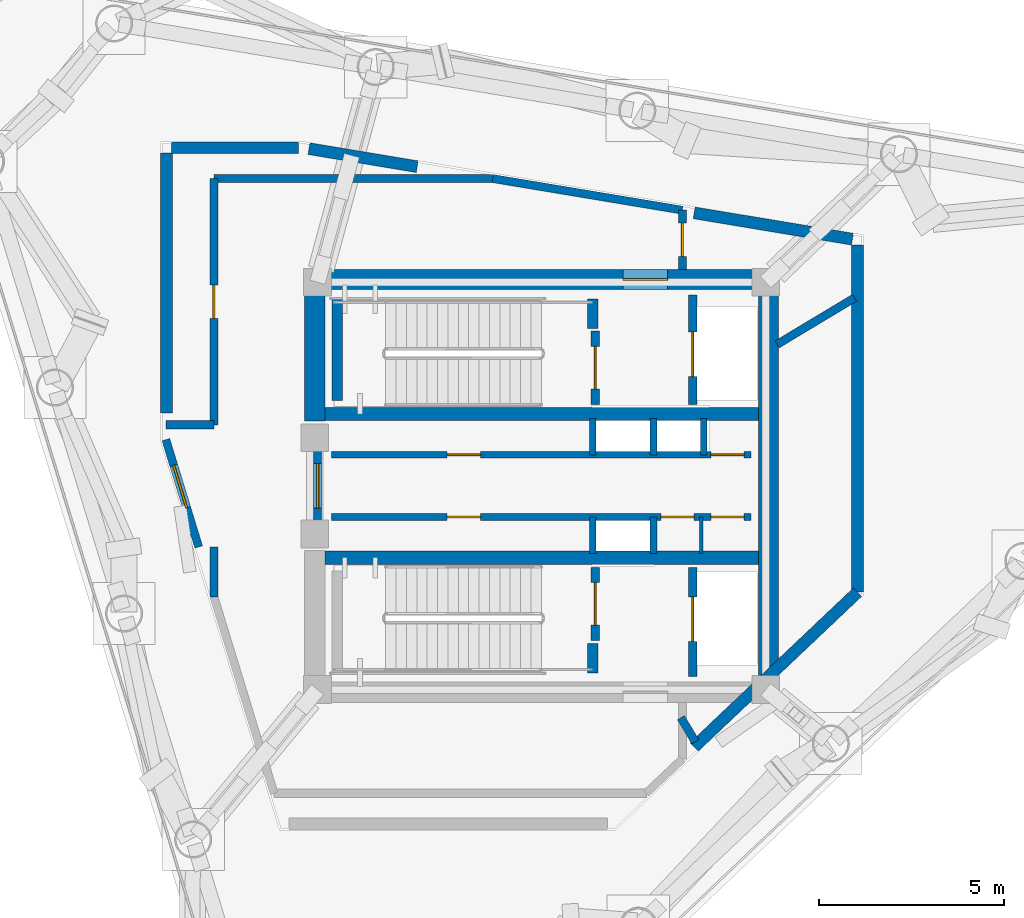
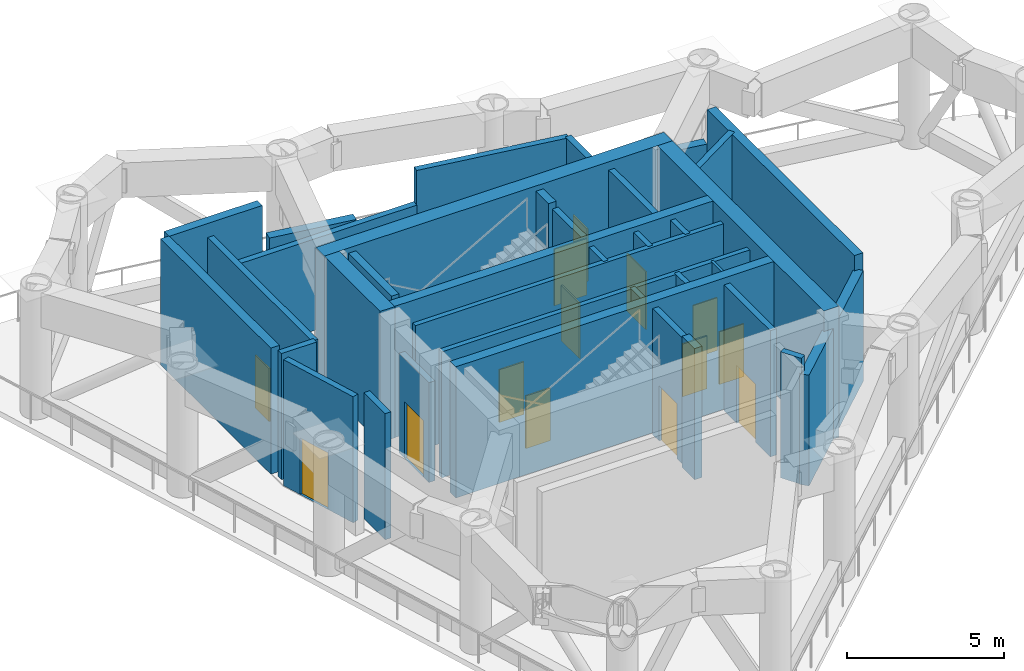
# One storey, part 4 of 9: 36 walls, 14 doors, 14 openings.
"""IFC4 building model written with IfcOpenShell, lengths in metres."""

from ifc_helpers import new_model, si_unit, direction, frame, frame_2d, origin, place, context, subcontext, project, spatial, rectangle, extrude, material, layer, layer_set, type_object, element, fill, save


model = new_model("IFC4")

# Units and contexts
model_context = context("Model", 3, precision=1e-05, world=origin(), true_north=direction((0.0, 1.0)))
body_context = subcontext(model_context, "Body", "Model", "MODEL_VIEW")
ifc_project = project(units=[si_unit("LENGTHUNIT", "METRE"), si_unit("AREAUNIT", "SQUARE_METRE"), si_unit("VOLUMEUNIT", "CUBIC_METRE"), si_unit("PLANEANGLEUNIT", "RADIAN"), si_unit("MASSUNIT", "GRAM", prefix="KILO")], contexts=[model_context])

# Site, building, storey
site_placement = place(None, origin())
site = spatial("IfcSite", under=ifc_project, at=site_placement, CompositionType="ELEMENT")
building_placement = place(site_placement, origin())
building = spatial("IfcBuilding", under=site, at=building_placement, Name="Yunling Apex Tower", CompositionType="ELEMENT")
storey_placement = place(building_placement, frame((0.0, 0.0, 252.449951171875)))
storey = spatial("IfcBuildingStorey", under=building, at=storey_placement, Name="RF7", CompositionType="ELEMENT", Elevation=252.449951171875)

# Wall, opening, door
ifc_material_1 = material(Name="Concrete C40", Category="concrete")
ifc_layer_1 = layer(ifc_material_1, 0.550048828125)
ifc_layer_set_1 = layer_set([ifc_layer_1], Name="Concrete C40")
wall_type_1 = type_object("IfcWallType", Name="WL-COR-3", PredefinedType="SHEAR", material=ifc_layer_set_1)
wall_1_placement = place(storey_placement, frame((-6.39990234375, 5.574951171875, 0.0), z_axis=(0.0, 0.0, 1.0), x_axis=(1.0, 0.0, 0.0)))
wall_1 = element("IfcWall", 1, at=wall_1_placement, inside=storey, type_object=wall_type_1, Name="RF7 North Core Shear Wall", PredefinedType="SHEAR", context=body_context, shape_type="SweptSolid", body=[
    extrude(rectangle(XDim=12.7998046875, YDim=0.550048828125, at=frame_2d((6.39990234375, 0.0))), origin(), (0.0, 0.0, 1.0), 5.10009765625),
])
opening_1_placement = place(wall_1_placement, frame((8.60009765625, 0.0, 0.0)))
opening_1 = element("IfcOpeningElement", 2, at=opening_1_placement, cuts=wall_1, Name="Opening DR-FFL-1", PredefinedType="OPENING", context=body_context, shape_type="SweptSolid", body=[
    extrude(rectangle(XDim=1.199951171875, YDim=2.199951171875, at=frame_2d((0.60009765625, 1.10009765625))), frame((0.0, 0.28515625, 0.0), z_axis=(0.0, -1.0, 0.0), x_axis=(1.0, 0.0, 0.0)), (0.0, 0.0, 1.0), 0.570068359375),
])
ifc_material_2 = material(Name="Steel Q355B", Category="steel")
door_type_1 = type_object("IfcDoorType", Name="DR-FFL-1", OperationType="NOTDEFINED", PredefinedType="DOOR", material=ifc_material_2)
door_1_placement = place(opening_1_placement, origin())
door_1 = element("IfcDoor", 3, at=door_1_placement, inside=storey, type_object=door_type_1, Name="RF7 North Firefighting Lobby Door", OperationType="SINGLE_SWING_LEFT", OverallHeight=2.199951171875, OverallWidth=1.199951171875, PredefinedType="DOOR", context=body_context, shape_type="SweptSolid", body=[
    extrude(rectangle(XDim=1.199951171875, YDim=2.199951171875, at=frame_2d((0.60009765625, 1.10009765625))), frame((0.0, 0.02490234375, 0.0), z_axis=(0.0, -1.0, 0.0), x_axis=(1.0, 0.0, 0.0)), (0.0, 0.0, 1.0), 0.050048828125),
])
fill(opening_1, door_1)

# Walls
wall_2_placement = place(storey_placement, frame((6.125, -5.300048828125, 0.0), z_axis=(0.0, 0.0, 1.0), x_axis=(0.0, 1.0, 0.0)))
element("IfcWall", 4, at=wall_2_placement, inside=storey, type_object=wall_type_1, Name="RF7 East Core Shear Wall", PredefinedType="SHEAR", context=body_context, shape_type="SweptSolid", body=[
    extrude(rectangle(XDim=10.60009765625, YDim=0.550048828125, at=frame_2d((5.300048828125, 0.0))), origin(), (0.0, 0.0, 1.0), 5.10009765625),
])
wall_3_placement = place(storey_placement, frame((-6.125, 1.75, 0.0), z_axis=(0.0, 0.0, 1.0), x_axis=(0.0, 1.0, 0.0)))
element("IfcWall", 5, at=wall_3_placement, inside=storey, type_object=wall_type_1, Name="RF7 West-North Core Shear Wall", PredefinedType="SHEAR", context=body_context, shape_type="SweptSolid", body=[
    extrude(rectangle(XDim=3.550048828125, YDim=0.550048828125, at=frame_2d((1.77490234375, 0.0))), origin(), (0.0, 0.0, 1.0), 5.10009765625),
])
ifc_layer_2 = layer(ifc_material_1, 0.360107421875)
ifc_layer_set_2 = layer_set([ifc_layer_2], Name="Concrete C40")
wall_type_2 = type_object("IfcWallType", Name="WL-COR-4", PredefinedType="SHEAR", material=ifc_layer_set_2)
for number, where, z_axis, x_axis, name in (
    (6, (-5.85009765625, 1.93994140625, 0.0), (0.0, 0.0, 1.0), (1.0, 0.0, 0.0), "RF7 North Internal Core Shear Wall"),
    (7, (-5.85009765625, -1.93994140625, 0.0), (0.0, 0.0, 1.0), (1.0, 0.0, 0.0), "RF7 South Internal Core Shear Wall"),
):
    element("IfcWall", number, at=place(storey_placement, frame(where, z_axis=z_axis, x_axis=x_axis)), inside=storey, type_object=wall_type_2, Name=name, PredefinedType="SHEAR", context=body_context, shape_type="SweptSolid", body=[
        extrude(rectangle(XDim=11.7001953125, YDim=0.360107421875, at=frame_2d((5.85009765625, 0.0))), origin(), (0.0, 0.0, 1.0), 5.10009765625),
    ])
ifc_layer_3 = layer(ifc_material_1, 0.280029296875)
ifc_layer_set_3 = layer_set([ifc_layer_3], Name="Concrete C40")
wall_type_3 = type_object("IfcWallType", Name="WL-COR-8", PredefinedType="SHEAR", material=ifc_layer_set_3)
wall_4_placement = place(storey_placement, frame((-5.52001953125, 2.300048828125, 0.0), z_axis=(0.0, 0.0, 1.0), x_axis=(0.0, 1.0, 0.0)))
element("IfcWall", 8, at=wall_4_placement, inside=storey, type_object=wall_type_3, Name="RF7 ST-1 West Landing Bearing Wall", PredefinedType="SHEAR", context=body_context, shape_type="SweptSolid", body=[
    extrude(rectangle(XDim=2.75, YDim=0.280029296875, at=frame_2d((1.375, 0.0))), origin(), (0.0, 0.0, 1.0), 5.10009765625),
])
for number, where, z_axis, x_axis, name in (
    (9, (1.3798828125, 4.25, 0.0), (0.0, 0.0, 1.0), (0.0, 1.0, 0.0), "RF7 ST-1 East Landing Bearing Pier"),
    (10, (1.3798828125, -5.050048828125, 0.0), (0.0, 0.0, 1.0), (0.0, 1.0, 0.0), "RF7 ST-2 East Landing Bearing Pier"),
):
    element("IfcWall", number, at=place(storey_placement, frame(where, z_axis=z_axis, x_axis=x_axis)), inside=storey, type_object=wall_type_3, Name=name, PredefinedType="SHEAR", context=body_context, shape_type="SweptSolid", body=[
        extrude(rectangle(XDim=0.800048828125, YDim=0.280029296875, at=frame_2d((0.39990234375, 0.0))), origin(), (0.0, 0.0, 1.0), 5.10009765625),
    ])
ifc_material_3 = material(Name="Precast concrete C40", Category="concrete")
ifc_layer_4 = layer(ifc_material_3, 0.320068359375)
ifc_layer_set_4 = layer_set([ifc_layer_4], Name="Precast concrete C40")
wall_type_4 = type_object("IfcWallType", Name="WL-EXT-1", PredefinedType="SOLIDWALL", material=ifc_layer_set_4)
wall_5_placement = place(storey_placement, frame((8.530029296875, -2.869873046875, 0.0), z_axis=(0.0, 0.0, 1.0), x_axis=(-0.725858697409, -0.687843842304, 0.0)))
element("IfcWall", 11, at=wall_5_placement, inside=storey, type_object=wall_type_4, Name="WL-RF7-IR-01", PredefinedType="SOLIDWALL", context=body_context, shape_type="SweptSolid", body=[
    extrude(rectangle(XDim=6.075439453125, YDim=0.320068359375, at=frame_2d((3.03759765625, 0.0))), origin(), (0.0, 0.0, 1.0), 4.304931640625),
])
wall_6_placement = place(storey_placement, frame((-10.1298828125, 1.969970703125, 0.0), z_axis=(0.0, 0.0, 1.0), x_axis=(0.0, 1.0, 0.0)))
element("IfcWall", 12, at=wall_6_placement, inside=storey, type_object=wall_type_4, Name="WL-RF7-IR-04", PredefinedType="SOLIDWALL", context=body_context, shape_type="SweptSolid", body=[
    extrude(rectangle(XDim=7.02001953125, YDim=0.320068359375, at=frame_2d((3.510009765625, 0.0))), origin(), (0.0, 0.0, 1.0), 4.900146484375),
])
wall_7_placement = place(storey_placement, frame((-9.989990234375, 9.1298828125, 0.0), z_axis=(0.0, 0.0, 1.0), x_axis=(1.0, 0.0, 0.0)))
element("IfcWall", 13, at=wall_7_placement, inside=storey, type_object=wall_type_4, Name="WL-RF7-IR-05", PredefinedType="SOLIDWALL", context=body_context, shape_type="SweptSolid", body=[
    extrude(rectangle(XDim=3.4287109375, YDim=0.320068359375, at=frame_2d((1.71435546875, 0.0))), origin(), (0.0, 0.0, 1.0), 4.900146484375),
])
wall_8_placement = place(storey_placement, frame((-6.283203125, 9.10693359375, 0.0), z_axis=(0.0, 0.0, 1.0), x_axis=(0.986411732793, -0.164292097827, 0.0)))
element("IfcWall", 14, at=wall_8_placement, inside=storey, type_object=wall_type_4, Name="WL-RF7-IR-06", PredefinedType="SOLIDWALL", context=body_context, shape_type="SweptSolid", body=[
    extrude(rectangle(XDim=2.963134765625, YDim=0.320068359375, at=frame_2d((1.4814453125, 0.0))), origin(), (0.0, 0.0, 1.0), 3.554931640625),
])
wall_9_placement = place(storey_placement, frame((4.1201171875, 7.37353515625, 0.0), z_axis=(0.0, 0.0, 1.0), x_axis=(0.986404587418, -0.164334992989, 0.0)))
element("IfcWall", 15, at=wall_9_placement, inside=storey, type_object=wall_type_4, Name="WL-RF7-IR-07", PredefinedType="SOLIDWALL", context=body_context, shape_type="SweptSolid", body=[
    extrude(rectangle(XDim=4.33056640625, YDim=0.320068359375, at=frame_2d((2.165283203125, 0.0))), origin(), (0.0, 0.0, 1.0), 3.554931640625),
])
wall_10_placement = place(storey_placement, frame((8.530029296875, 6.498779296875, 0.0), z_axis=(0.0, 0.0, 1.0), x_axis=(0.0, -1.0, 0.0)))
element("IfcWall", 16, at=wall_10_placement, inside=storey, type_object=wall_type_4, Name="WL-RF7-IR-08", PredefinedType="SOLIDWALL", context=body_context, shape_type="SweptSolid", body=[
    extrude(rectangle(XDim=9.36865234375, YDim=0.320068359375, at=frame_2d((4.684326171875, 0.0))), origin(), (0.0, 0.0, 1.0), 4.900146484375),
])
ifc_material_4 = material(Name="Gypsum board acoustic partition")
ifc_layer_5 = layer(ifc_material_4, 0.10009765625)
ifc_layer_set_5 = layer_set([ifc_layer_5], Name="Gypsum board acoustic partition")
wall_type_5 = type_object("IfcWallType", Name="WL-PRT-4", PredefinedType="PARTITIONING", material=ifc_layer_set_5)
wall_11_placement = place(storey_placement, frame((4.31005859375, -1.820068359375, 0.0), z_axis=(0.0, 0.0, 1.0), x_axis=(0.0, 1.0, 0.0)))
element("IfcWall", 17, at=wall_11_placement, inside=storey, type_object=wall_type_5, Name="WL-KCDIV-RF7", PredefinedType="PARTITIONING", context=body_context, shape_type="SweptSolid", body=[
    extrude(rectangle(XDim=0.97998046875, YDim=0.10009765625, at=frame_2d((0.489990234375, 0.0))), origin(), (0.0, 0.0, 1.0), 4.900146484375),
])

# Wall, opening, door
ifc_material_5 = material(Name="Autoclaved aerated concrete masonry", Category="masonry")
ifc_layer_6 = layer(ifc_material_5, 0.219970703125)
ifc_layer_set_6 = layer_set([ifc_layer_6], Name="Autoclaved aerated concrete masonry")
wall_type_6 = type_object("IfcWallType", Name="WL-SHF-1", PredefinedType="PLUMBINGWALL", material=ifc_layer_set_6)
wall_12_placement = place(storey_placement, frame((-6.050048828125, -0.949951171875, 0.0), z_axis=(0.0, 0.0, 1.0), x_axis=(0.0, 1.0, 0.0)))
wall_12 = element("IfcWall", 18, at=wall_12_placement, inside=storey, type_object=wall_type_6, Name="WL-COR-WPORT-RF7", PredefinedType="PLUMBINGWALL", context=body_context, shape_type="SweptSolid", body=[
    extrude(rectangle(XDim=1.89990234375, YDim=0.219970703125, at=frame_2d((0.949951171875, 0.0))), origin(), (0.0, 0.0, 1.0), 3.880126953125),
])
opening_2_placement = place(wall_12_placement, frame((0.35009765625, 0.0, 0.0)))
opening_2 = element("IfcOpeningElement", 19, at=opening_2_placement, cuts=wall_12, Name="Opening DR-FFL-1", PredefinedType="OPENING", context=body_context, shape_type="SweptSolid", body=[
    extrude(rectangle(XDim=1.199951171875, YDim=2.199951171875, at=frame_2d((0.60009765625, 1.10009765625))), frame((0.0, 0.1201171875, 0.0), z_axis=(0.0, -1.0, 0.0), x_axis=(1.0, 0.0, 0.0)), (0.0, 0.0, 1.0), 0.239990234375),
])
door_2_placement = place(opening_2_placement, origin())
door_2 = element("IfcDoor", 20, at=door_2_placement, inside=storey, type_object=door_type_1, Name="RF7 Passenger Lift Lobby Entrance Door", OperationType="SINGLE_SWING_RIGHT", OverallHeight=2.199951171875, OverallWidth=1.199951171875, PredefinedType="DOOR", context=body_context, shape_type="SweptSolid", body=[
    extrude(rectangle(XDim=1.199951171875, YDim=2.199951171875, at=frame_2d((0.60009765625, 1.10009765625))), frame((0.0, 0.02490234375, 0.0), z_axis=(0.0, -1.0, 0.0), x_axis=(1.0, 0.0, 0.0)), (0.0, 0.0, 1.0), 0.050048828125),
])
fill(opening_2, door_2)

wall_13_placement = place(storey_placement, frame((1.449951171875, 2.199951171875, 0.0), z_axis=(0.0, 0.0, 1.0), x_axis=(0.0, 1.0, 0.0)))
wall_13 = element("IfcWall", 21, at=wall_13_placement, inside=storey, type_object=wall_type_6, Name="WL-ST1-E-RF7", PredefinedType="PLUMBINGWALL", context=body_context, shape_type="SweptSolid", body=[
    extrude(rectangle(XDim=1.97998046875, YDim=0.219970703125, at=frame_2d((0.989990234375, 0.0))), origin(), (0.0, 0.0, 1.0), 4.900146484375),
])
opening_3_placement = place(wall_13_placement, frame((0.419921875, 0.0, 0.0)))
opening_3 = element("IfcOpeningElement", 22, at=opening_3_placement, cuts=wall_13, Name="Opening DR-ST-1", PredefinedType="OPENING", context=body_context, shape_type="SweptSolid", body=[
    extrude(rectangle(XDim=1.14990234375, YDim=2.14990234375, at=frame_2d((0.574951171875, 1.074951171875))), frame((0.0, 0.1201171875, 0.0), z_axis=(0.0, -1.0, 0.0), x_axis=(1.0, 0.0, 0.0)), (0.0, 0.0, 1.0), 0.239990234375),
])
door_type_2 = type_object("IfcDoorType", Name="DR-ST-1", OperationType="NOTDEFINED", PredefinedType="DOOR", material=ifc_material_2)
door_3_placement = place(opening_3_placement, origin())
door_3 = element("IfcDoor", 23, at=door_3_placement, inside=storey, type_object=door_type_2, Name="RF7 Stair ST-1 Fire Door", OperationType="SINGLE_SWING_LEFT", OverallHeight=2.14990234375, OverallWidth=1.14990234375, PredefinedType="DOOR", context=body_context, shape_type="SweptSolid", body=[
    extrude(rectangle(XDim=1.14990234375, YDim=2.14990234375, at=frame_2d((0.574951171875, 1.074951171875))), frame((0.0, 0.02490234375, 0.0), z_axis=(0.0, -1.0, 0.0), x_axis=(1.0, 0.0, 0.0)), (0.0, 0.0, 1.0), 0.050048828125),
])
fill(opening_3, door_3)

wall_14_placement = place(storey_placement, frame((4.080078125, 2.199951171875, 0.0), z_axis=(0.0, 0.0, 1.0), x_axis=(0.0, 1.0, 0.0)))
wall_14 = element("IfcWall", 24, at=wall_14_placement, inside=storey, type_object=wall_type_6, Name="WL-FFL1-W-RF7", PredefinedType="PLUMBINGWALL", context=body_context, shape_type="SweptSolid", body=[
    extrude(rectangle(XDim=2.949951171875, YDim=0.219970703125, at=frame_2d((1.47509765625, 0.0))), origin(), (0.0, 0.0, 1.0), 4.900146484375),
])
opening_4_placement = place(wall_14_placement, frame((0.75, 0.0, 0.0)))
opening_4 = element("IfcOpeningElement", 25, at=opening_4_placement, cuts=wall_14, Name="Opening LD-FFL-1", PredefinedType="OPENING", context=body_context, shape_type="SweptSolid", body=[
    extrude(rectangle(XDim=1.199951171875, YDim=2.25, at=frame_2d((0.60009765625, 1.125))), frame((0.0, 0.1201171875, 0.0), z_axis=(0.0, -1.0, 0.0), x_axis=(1.0, 0.0, 0.0)), (0.0, 0.0, 1.0), 0.239990234375),
])
door_type_3 = type_object("IfcDoorType", Name="LD-FFL-1", OperationType="DOUBLE_DOOR_SLIDING", PredefinedType="DOOR", material=ifc_material_2)
door_4_placement = place(opening_4_placement, origin())
door_4 = element("IfcDoor", 26, at=door_4_placement, inside=storey, type_object=door_type_3, Name="RF7 Lift FFL-1 Landing Door", OperationType="DOUBLE_DOOR_SLIDING", OverallHeight=2.25, OverallWidth=1.199951171875, PredefinedType="DOOR", context=body_context, shape_type="SweptSolid", body=[
    extrude(rectangle(XDim=1.199951171875, YDim=2.25, at=frame_2d((0.60009765625, 1.125))), frame((0.0, 0.02490234375, 0.0), z_axis=(0.0, -1.0, 0.0), x_axis=(1.0, 0.0, 0.0)), (0.0, 0.0, 1.0), 0.050048828125),
])
fill(opening_4, door_4)

wall_15_placement = place(storey_placement, frame((1.449951171875, -4.179931640625, 0.0), z_axis=(0.0, 0.0, 1.0), x_axis=(0.0, 1.0, 0.0)))
wall_15 = element("IfcWall", 27, at=wall_15_placement, inside=storey, type_object=wall_type_6, Name="WL-ST2-E-RF7", PredefinedType="PLUMBINGWALL", context=body_context, shape_type="SweptSolid", body=[
    extrude(rectangle(XDim=1.97998046875, YDim=0.219970703125, at=frame_2d((0.989990234375, 0.0))), origin(), (0.0, 0.0, 1.0), 4.900146484375),
])
opening_5_placement = place(wall_15_placement, frame((0.419921875, 0.0, 0.0)))
opening_5 = element("IfcOpeningElement", 28, at=opening_5_placement, cuts=wall_15, Name="Opening DR-ST-1", PredefinedType="OPENING", context=body_context, shape_type="SweptSolid", body=[
    extrude(rectangle(XDim=1.14990234375, YDim=2.14990234375, at=frame_2d((0.574951171875, 1.074951171875))), frame((0.0, 0.1201171875, 0.0), z_axis=(0.0, -1.0, 0.0), x_axis=(1.0, 0.0, 0.0)), (0.0, 0.0, 1.0), 0.239990234375),
])
door_5_placement = place(opening_5_placement, origin())
door_5 = element("IfcDoor", 29, at=door_5_placement, inside=storey, type_object=door_type_2, Name="RF7 Stair ST-2 Fire Door", OperationType="SINGLE_SWING_RIGHT", OverallHeight=2.14990234375, OverallWidth=1.14990234375, PredefinedType="DOOR", context=body_context, shape_type="SweptSolid", body=[
    extrude(rectangle(XDim=1.14990234375, YDim=2.14990234375, at=frame_2d((0.574951171875, 1.074951171875))), frame((0.0, 0.02490234375, 0.0), z_axis=(0.0, -1.0, 0.0), x_axis=(1.0, 0.0, 0.0)), (0.0, 0.0, 1.0), 0.050048828125),
])
fill(opening_5, door_5)

wall_16_placement = place(storey_placement, frame((4.080078125, -5.14990234375, 0.0), z_axis=(0.0, 0.0, 1.0), x_axis=(0.0, 1.0, 0.0)))
wall_16 = element("IfcWall", 30, at=wall_16_placement, inside=storey, type_object=wall_type_6, Name="WL-FFL2-W-RF7", PredefinedType="PLUMBINGWALL", context=body_context, shape_type="SweptSolid", body=[
    extrude(rectangle(XDim=2.949951171875, YDim=0.219970703125, at=frame_2d((1.47509765625, 0.0))), origin(), (0.0, 0.0, 1.0), 4.900146484375),
])
opening_6_placement = place(wall_16_placement, frame((0.949951171875, 0.0, 0.0)))
opening_6 = element("IfcOpeningElement", 31, at=opening_6_placement, cuts=wall_16, Name="Opening LD-FFL-1", PredefinedType="OPENING", context=body_context, shape_type="SweptSolid", body=[
    extrude(rectangle(XDim=1.199951171875, YDim=2.25, at=frame_2d((0.60009765625, 1.125))), frame((0.0, 0.1201171875, 0.0), z_axis=(0.0, -1.0, 0.0), x_axis=(1.0, 0.0, 0.0)), (0.0, 0.0, 1.0), 0.239990234375),
])
door_6_placement = place(opening_6_placement, origin())
door_6 = element("IfcDoor", 32, at=door_6_placement, inside=storey, type_object=door_type_3, Name="RF7 Lift FFL-2 Landing Door", OperationType="DOUBLE_DOOR_SLIDING", OverallHeight=2.25, OverallWidth=1.199951171875, PredefinedType="DOOR", context=body_context, shape_type="SweptSolid", body=[
    extrude(rectangle(XDim=1.199951171875, YDim=2.25, at=frame_2d((0.60009765625, 1.125))), frame((0.0, 0.02490234375, 0.0), z_axis=(0.0, -1.0, 0.0), x_axis=(1.0, 0.0, 0.0)), (0.0, 0.0, 1.0), 0.050048828125),
])
fill(opening_6, door_6)

# Walls
wall_17_placement = place(storey_placement, frame((6.360107421875, 3.821533203125, 0.0), z_axis=(0.0, 0.0, 1.0), x_axis=(0.857139312481, 0.515084652266, 0.0)))
element("IfcWall", 33, at=wall_17_placement, inside=storey, type_object=wall_type_6, Name="WL-RF7-PDIV-31", PredefinedType="PLUMBINGWALL", context=body_context, shape_type="SweptSolid", body=[
    extrude(rectangle(XDim=2.438232421875, YDim=0.219970703125, at=frame_2d((1.21923828125, 0.0))), origin(), (0.0, 0.0, 1.0), 4.900146484375),
])
wall_18_placement = place(storey_placement, frame((3.760009765625, -6.2578125, 0.0), z_axis=(0.0, 0.0, 1.0), x_axis=(0.515157247848, -0.857095683101, 0.0)))
element("IfcWall", 34, at=wall_18_placement, inside=storey, type_object=wall_type_6, Name="WL-RF7-PDIV-301", PredefinedType="PLUMBINGWALL", context=body_context, shape_type="SweptSolid", body=[
    extrude(rectangle(XDim=0.759765625, YDim=0.219970703125, at=frame_2d((0.3798828125, 0.0))), origin(), (0.0, 0.0, 1.0), 4.900146484375),
])

# Wall, opening, door
wall_19_placement = place(storey_placement, frame((3.800048828125, 7.447265625, 0.0), z_axis=(0.0, 0.0, 1.0), x_axis=(0.0, -1.0, 0.0)))
wall_19 = element("IfcWall", 35, at=wall_19_placement, inside=storey, type_object=wall_type_6, Name="WL-RF7-PCR-01", PredefinedType="PLUMBINGWALL", context=body_context, shape_type="SweptSolid", body=[
    extrude(rectangle(XDim=1.59716796875, YDim=0.219970703125, at=frame_2d((0.798583984375, 0.0))), origin(), (0.0, 0.0, 1.0), 4.900146484375),
])
opening_7_placement = place(wall_19_placement, frame((0.3486328125, 0.0, 0.0)))
opening_7 = element("IfcOpeningElement", 36, at=opening_7_placement, cuts=wall_19, Name="Opening DR-SHF-1", PredefinedType="OPENING", context=body_context, shape_type="SweptSolid", body=[
    extrude(rectangle(XDim=0.89990234375, YDim=2.050048828125, at=frame_2d((0.449951171875, 1.02490234375))), frame((0.0, 0.1201171875, 0.0), z_axis=(0.0, -1.0, 0.0), x_axis=(1.0, 0.0, 0.0)), (0.0, 0.0, 1.0), 0.239990234375),
])
door_type_4 = type_object("IfcDoorType", Name="DR-SHF-1", OperationType="NOTDEFINED", PredefinedType="DOOR", material=ifc_material_2)
door_7_placement = place(opening_7_placement, origin())
door_7 = element("IfcDoor", 37, at=door_7_placement, inside=storey, type_object=door_type_4, Name="RF7 Dedicated Outdoor Air AHU Fan Plant Room Door", OperationType="SINGLE_SWING_RIGHT", OverallHeight=2.050048828125, OverallWidth=0.89990234375, PredefinedType="DOOR", context=body_context, shape_type="SweptSolid", body=[
    extrude(rectangle(XDim=0.89990234375, YDim=2.050048828125, at=frame_2d((0.449951171875, 1.02490234375))), frame((0.0, 0.02490234375, 0.0), z_axis=(0.0, -1.0, 0.0), x_axis=(1.0, 0.0, 0.0)), (0.0, 0.0, 1.0), 0.050048828125),
])
fill(opening_7, door_7)

# Wall
wall_20_placement = place(storey_placement, frame((-8.85009765625, -3.001953125, 0.0), z_axis=(0.0, 0.0, 1.0), x_axis=(0.0, 1.0, 0.0)))
element("IfcWall", 38, at=wall_20_placement, inside=storey, type_object=wall_type_6, Name="WL-RF7-PCR-06", PredefinedType="PLUMBINGWALL", context=body_context, shape_type="SweptSolid", body=[
    extrude(rectangle(XDim=1.35205078125, YDim=0.219970703125, at=frame_2d((0.676025390625, 0.0))), origin(), (0.0, 0.0, 1.0), 4.900146484375),
])

# Wall, opening, door
wall_21_placement = place(storey_placement, frame((-9.26318359375, -1.64990234375, 0.0), z_axis=(0.0, 0.0, 1.0), x_axis=(-0.292437587716, 0.956284611029, 0.0)))
wall_21 = element("IfcWall", 39, at=wall_21_placement, inside=storey, type_object=wall_type_6, Name="WL-RF7-PCR-08", PredefinedType="PLUMBINGWALL", context=body_context, shape_type="SweptSolid", body=[
    extrude(rectangle(XDim=3.029541015625, YDim=0.219970703125, at=frame_2d((1.5146484375, 0.0))), origin(), (0.0, 0.0, 1.0), 4.900146484375),
])
opening_8_placement = place(wall_21_placement, frame((1.107666015625, 0.0, 0.0)))
opening_8 = element("IfcOpeningElement", 40, at=opening_8_placement, cuts=wall_21, Name="Opening DR-FFL-1", PredefinedType="OPENING", context=body_context, shape_type="SweptSolid", body=[
    extrude(rectangle(XDim=1.199951171875, YDim=2.199951171875, at=frame_2d((0.60009765625, 1.10009765625))), frame((0.0, 0.1201171875, 0.0), z_axis=(0.0, -1.0, 0.0), x_axis=(1.0, 0.0, 0.0)), (0.0, 0.0, 1.0), 0.239990234375),
])
door_8_placement = place(opening_8_placement, origin())
door_8 = element("IfcDoor", 41, at=door_8_placement, inside=storey, type_object=door_type_1, Name="RF7 West Refuge Terrace Exit Door", OperationType="SINGLE_SWING_LEFT", OverallHeight=2.199951171875, OverallWidth=1.199951171875, PredefinedType="DOOR", context=body_context, shape_type="SweptSolid", body=[
    extrude(rectangle(XDim=1.199951171875, YDim=2.199951171875, at=frame_2d((0.60009765625, 1.10009765625))), frame((0.0, 0.02490234375, 0.0), z_axis=(0.0, -1.0, 0.0), x_axis=(1.0, 0.0, 0.0)), (0.0, 0.0, 1.0), 0.050048828125),
])
fill(opening_8, door_8)

# Wall
wall_22_placement = place(storey_placement, frame((-10.14990234375, 1.64990234375, 0.0), z_axis=(0.0, 0.0, 1.0), x_axis=(1.0, 0.0, 0.0)))
element("IfcWall", 42, at=wall_22_placement, inside=storey, type_object=wall_type_6, Name="WL-RF7-PCR-10", PredefinedType="PLUMBINGWALL", context=body_context, shape_type="SweptSolid", body=[
    extrude(rectangle(XDim=1.2998046875, YDim=0.219970703125, at=frame_2d((0.64990234375, 0.0))), origin(), (0.0, 0.0, 1.0), 4.900146484375),
])

# Wall, opening, door
wall_23_placement = place(storey_placement, frame((-8.85009765625, 1.64990234375, 0.0), z_axis=(0.0, 0.0, 1.0), x_axis=(0.0, 1.0, 0.0)))
wall_23 = element("IfcWall", 43, at=wall_23_placement, inside=storey, type_object=wall_type_6, Name="WL-RF7-PCR-11", PredefinedType="PLUMBINGWALL", context=body_context, shape_type="SweptSolid", body=[
    extrude(rectangle(XDim=6.650146484375, YDim=0.219970703125, at=frame_2d((3.3251953125, 0.0))), origin(), (0.0, 0.0, 1.0), 4.900146484375),
])
opening_9_placement = place(wall_23_placement, frame((2.875, 0.0, 0.0)))
opening_9 = element("IfcOpeningElement", 44, at=opening_9_placement, cuts=wall_23, Name="Opening DR-SHF-1", PredefinedType="OPENING", context=body_context, shape_type="SweptSolid", body=[
    extrude(rectangle(XDim=0.89990234375, YDim=2.050048828125, at=frame_2d((0.449951171875, 1.02490234375))), frame((0.0, 0.1201171875, 0.0), z_axis=(0.0, -1.0, 0.0), x_axis=(1.0, 0.0, 0.0)), (0.0, 0.0, 1.0), 0.239990234375),
])
door_9_placement = place(opening_9_placement, origin())
door_9 = element("IfcDoor", 45, at=door_9_placement, inside=storey, type_object=door_type_4, Name="RF7 Fire and Domestic Transfer Pump Plant Room Door", OperationType="SINGLE_SWING_RIGHT", OverallHeight=2.050048828125, OverallWidth=0.89990234375, PredefinedType="DOOR", context=body_context, shape_type="SweptSolid", body=[
    extrude(rectangle(XDim=0.89990234375, YDim=2.050048828125, at=frame_2d((0.449951171875, 1.02490234375))), frame((0.0, 0.02490234375, 0.0), z_axis=(0.0, -1.0, 0.0), x_axis=(1.0, 0.0, 0.0)), (0.0, 0.0, 1.0), 0.050048828125),
])
fill(opening_9, door_9)

# Walls
wall_24_placement = place(storey_placement, frame((-8.85009765625, 8.300048828125, 0.0), z_axis=(0.0, 0.0, 1.0), x_axis=(1.0, 0.0, 0.0)))
element("IfcWall", 46, at=wall_24_placement, inside=storey, type_object=wall_type_6, Name="WL-RF7-PCR-12", PredefinedType="PLUMBINGWALL", context=body_context, shape_type="SweptSolid", body=[
    extrude(rectangle(XDim=7.531982421875, YDim=0.219970703125, at=frame_2d((3.76611328125, 0.0))), origin(), (0.0, 0.0, 1.0), 3.554931640625),
])
wall_25_placement = place(storey_placement, frame((-1.318115234375, 8.300048828125, 0.0), z_axis=(0.0, 0.0, 1.0), x_axis=(0.98640155285, -0.164353206645, 0.0)))
element("IfcWall", 47, at=wall_25_placement, inside=storey, type_object=wall_type_6, Name="WL-RF7-PCR-13", PredefinedType="PLUMBINGWALL", context=body_context, shape_type="SweptSolid", body=[
    extrude(rectangle(XDim=5.188720703125, YDim=0.219970703125, at=frame_2d((2.59423828125, 0.0))), origin(), (0.0, 0.0, 1.0), 4.900146484375),
])
ifc_layer_7 = layer(ifc_material_5, 0.179931640625)
ifc_layer_set_7 = layer_set([ifc_layer_7], Name="Autoclaved aerated concrete masonry")
wall_type_7 = type_object("IfcWallType", Name="WL-SHF-2", PredefinedType="PLUMBINGWALL", material=ifc_layer_set_7)
for number, where, z_axis, x_axis, name in (
    (48, (1.3798828125, 0.840087890625, 0.0), (0.0, 0.0, 1.0), (0.0, 1.0, 0.0), "WL-BNK-MH-N-RF7"),
    (49, (1.3798828125, -1.820068359375, 0.0), (0.0, 0.0, 1.0), (0.0, 1.0, 0.0), "WL-BNK-MH-S-RF7"),
    (50, (3.02001953125, 0.840087890625, 0.0), (0.0, 0.0, 1.0), (0.0, 1.0, 0.0), "WL-DIV-H13-RF7"),
    (51, (4.3798828125, 0.840087890625, 0.0), (0.0, 0.0, 1.0), (0.0, 1.0, 0.0), "WL-END-H3E-RF7"),
    (52, (3.02001953125, -1.820068359375, 0.0), (0.0, 0.0, 1.0), (0.0, 1.0, 0.0), "WL-END-H2E-RF7"),
):
    element("IfcWall", number, at=place(storey_placement, frame(where, z_axis=z_axis, x_axis=x_axis)), inside=storey, type_object=wall_type_7, Name=name, PredefinedType="PLUMBINGWALL", context=body_context, shape_type="SweptSolid", body=[
        extrude(rectangle(XDim=0.97998046875, YDim=0.179931640625, at=frame_2d((0.489990234375, 0.0))), origin(), (0.0, 0.0, 1.0), 4.900146484375),
    ])

# Wall, openings, doors
wall_26_placement = place(storey_placement, frame((-5.679931640625, 0.840087890625, 0.0), z_axis=(0.0, 0.0, 1.0), x_axis=(1.0, 0.0, 0.0)))
wall_26 = element("IfcWall", 53, at=wall_26_placement, inside=storey, type_object=wall_type_7, Name="WL-LOB-N-RF7", PredefinedType="PLUMBINGWALL", context=body_context, shape_type="SweptSolid", body=[
    extrude(rectangle(XDim=11.329833984375, YDim=0.179931640625, at=frame_2d((5.6650390625, 0.0))), origin(), (0.0, 0.0, 1.0), 4.900146484375),
])
opening_10_placement = place(wall_26_placement, frame((3.1298828125, 0.0, 0.0)))
opening_10 = element("IfcOpeningElement", 54, at=opening_10_placement, cuts=wall_26, Name="Opening DR-SHF-1", PredefinedType="OPENING", context=body_context, shape_type="SweptSolid", body=[
    extrude(rectangle(XDim=0.89990234375, YDim=2.050048828125, at=frame_2d((0.449951171875, 1.02490234375))), frame((0.0, 0.10009765625, 0.0), z_axis=(0.0, -1.0, 0.0), x_axis=(1.0, 0.0, 0.0)), (0.0, 0.0, 1.0), 0.199951171875),
])
opening_11_placement = place(wall_26_placement, frame((10.25, 0.0, 0.0)))
opening_11 = element("IfcOpeningElement", 55, at=opening_11_placement, cuts=wall_26, Name="Opening DR-SHF-1", PredefinedType="OPENING", context=body_context, shape_type="SweptSolid", body=[
    extrude(rectangle(XDim=0.89990234375, YDim=2.050048828125, at=frame_2d((0.449951171875, 1.02490234375))), frame((0.0, 0.10009765625, 0.0), z_axis=(0.0, -1.0, 0.0), x_axis=(1.0, 0.0, 0.0)), (0.0, 0.0, 1.0), 0.199951171875),
])
door_10_placement = place(opening_10_placement, origin())
door_10 = element("IfcDoor", 56, at=door_10_placement, inside=storey, type_object=door_type_4, Name="RF7 Data Plant Door", OperationType="SINGLE_SWING_LEFT", OverallHeight=2.050048828125, OverallWidth=0.89990234375, PredefinedType="DOOR", context=body_context, shape_type="SweptSolid", body=[
    extrude(rectangle(XDim=0.89990234375, YDim=2.050048828125, at=frame_2d((0.449951171875, 1.02490234375))), frame((0.0, 0.02490234375, 0.0), z_axis=(0.0, -1.0, 0.0), x_axis=(1.0, 0.0, 0.0)), (0.0, 0.0, 1.0), 0.050048828125),
])
fill(opening_10, door_10)
door_11_placement = place(opening_11_placement, origin())
door_11 = element("IfcDoor", 57, at=door_11_placement, inside=storey, type_object=door_type_4, Name="RF7 Floor Supply Store Door", OperationType="SINGLE_SWING_RIGHT", OverallHeight=2.050048828125, OverallWidth=0.89990234375, PredefinedType="DOOR", context=body_context, shape_type="SweptSolid", body=[
    extrude(rectangle(XDim=0.89990234375, YDim=2.050048828125, at=frame_2d((0.449951171875, 1.02490234375))), frame((0.0, 0.02490234375, 0.0), z_axis=(0.0, -1.0, 0.0), x_axis=(1.0, 0.0, 0.0)), (0.0, 0.0, 1.0), 0.050048828125),
])
fill(opening_11, door_11)

wall_27_placement = place(storey_placement, frame((-5.679931640625, -0.840087890625, 0.0), z_axis=(0.0, 0.0, 1.0), x_axis=(1.0, 0.0, 0.0)))
wall_27 = element("IfcWall", 58, at=wall_27_placement, inside=storey, type_object=wall_type_7, Name="WL-LOB-S-RF7", PredefinedType="PLUMBINGWALL", context=body_context, shape_type="SweptSolid", body=[
    extrude(rectangle(XDim=11.329833984375, YDim=0.179931640625, at=frame_2d((5.6650390625, 0.0))), origin(), (0.0, 0.0, 1.0), 4.900146484375),
])
opening_12_placement = place(wall_27_placement, frame((3.1298828125, 0.0, 0.0)))
opening_12 = element("IfcOpeningElement", 59, at=opening_12_placement, cuts=wall_27, Name="Opening DR-SHF-1", PredefinedType="OPENING", context=body_context, shape_type="SweptSolid", body=[
    extrude(rectangle(XDim=0.89990234375, YDim=2.050048828125, at=frame_2d((0.449951171875, 1.02490234375))), frame((0.0, 0.10009765625, 0.0), z_axis=(0.0, -1.0, 0.0), x_axis=(1.0, 0.0, 0.0)), (0.0, 0.0, 1.0), 0.199951171875),
])
opening_13_placement = place(wall_27_placement, frame((8.89990234375, 0.0, 0.0)))
opening_13 = element("IfcOpeningElement", 60, at=opening_13_placement, cuts=wall_27, Name="Opening DR-SHF-1", PredefinedType="OPENING", context=body_context, shape_type="SweptSolid", body=[
    extrude(rectangle(XDim=0.89990234375, YDim=2.050048828125, at=frame_2d((0.449951171875, 1.02490234375))), frame((0.0, 0.10009765625, 0.0), z_axis=(0.0, -1.0, 0.0), x_axis=(1.0, 0.0, 0.0)), (0.0, 0.0, 1.0), 0.199951171875),
])
opening_14_placement = place(wall_27_placement, frame((10.25, 0.0, 0.0)))
opening_14 = element("IfcOpeningElement", 61, at=opening_14_placement, cuts=wall_27, Name="Opening DR-SHF-1", PredefinedType="OPENING", context=body_context, shape_type="SweptSolid", body=[
    extrude(rectangle(XDim=0.89990234375, YDim=2.050048828125, at=frame_2d((0.449951171875, 1.02490234375))), frame((0.0, 0.10009765625, 0.0), z_axis=(0.0, -1.0, 0.0), x_axis=(1.0, 0.0, 0.0)), (0.0, 0.0, 1.0), 0.199951171875),
])
door_12_placement = place(opening_12_placement, origin())
door_12 = element("IfcDoor", 62, at=door_12_placement, inside=storey, type_object=door_type_4, Name="RF7 Housekeeping Store Door", OperationType="SINGLE_SWING_LEFT", OverallHeight=2.050048828125, OverallWidth=0.89990234375, PredefinedType="DOOR", context=body_context, shape_type="SweptSolid", body=[
    extrude(rectangle(XDim=0.89990234375, YDim=2.050048828125, at=frame_2d((0.449951171875, 1.02490234375))), frame((0.0, 0.02490234375, 0.0), z_axis=(0.0, -1.0, 0.0), x_axis=(1.0, 0.0, 0.0)), (0.0, 0.0, 1.0), 0.050048828125),
])
fill(opening_12, door_12)
door_13_placement = place(opening_13_placement, origin())
door_13 = element("IfcDoor", 63, at=door_13_placement, inside=storey, type_object=door_type_4, Name="RF7 LV Closet Door", OperationType="SINGLE_SWING_RIGHT", OverallHeight=2.050048828125, OverallWidth=0.89990234375, PredefinedType="DOOR", context=body_context, shape_type="SweptSolid", body=[
    extrude(rectangle(XDim=0.89990234375, YDim=2.050048828125, at=frame_2d((0.449951171875, 1.02490234375))), frame((0.0, 0.02490234375, 0.0), z_axis=(0.0, -1.0, 0.0), x_axis=(1.0, 0.0, 0.0)), (0.0, 0.0, 1.0), 0.050048828125),
])
fill(opening_13, door_13)
door_14_placement = place(opening_14_placement, origin())
door_14 = element("IfcDoor", 64, at=door_14_placement, inside=storey, type_object=door_type_4, Name="RF7 Standpipe Closet Door", OperationType="SINGLE_SWING_LEFT", OverallHeight=2.050048828125, OverallWidth=0.89990234375, PredefinedType="DOOR", context=body_context, shape_type="SweptSolid", body=[
    extrude(rectangle(XDim=0.89990234375, YDim=2.050048828125, at=frame_2d((0.449951171875, 1.02490234375))), frame((0.0, 0.02490234375, 0.0), z_axis=(0.0, -1.0, 0.0), x_axis=(1.0, 0.0, 0.0)), (0.0, 0.0, 1.0), 0.050048828125),
])
fill(opening_14, door_14)

save(model, "model.ifc")
